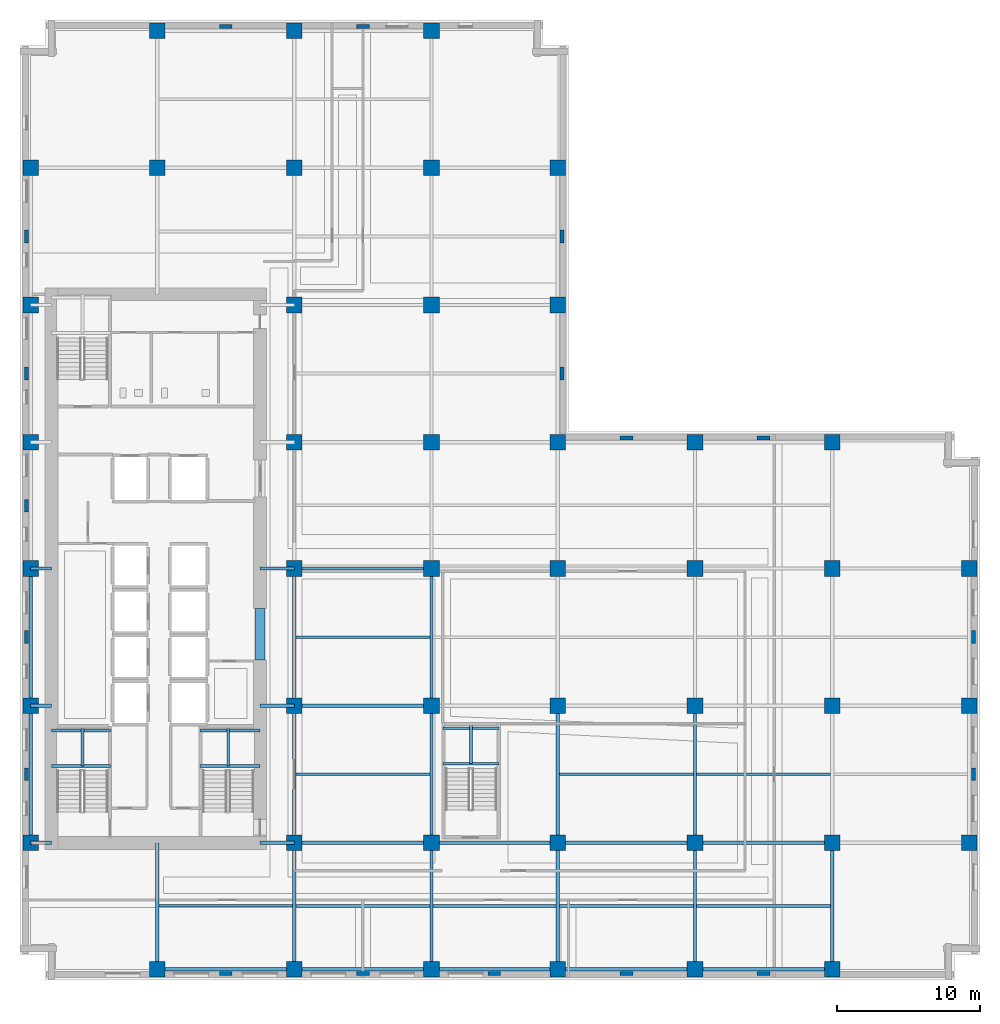
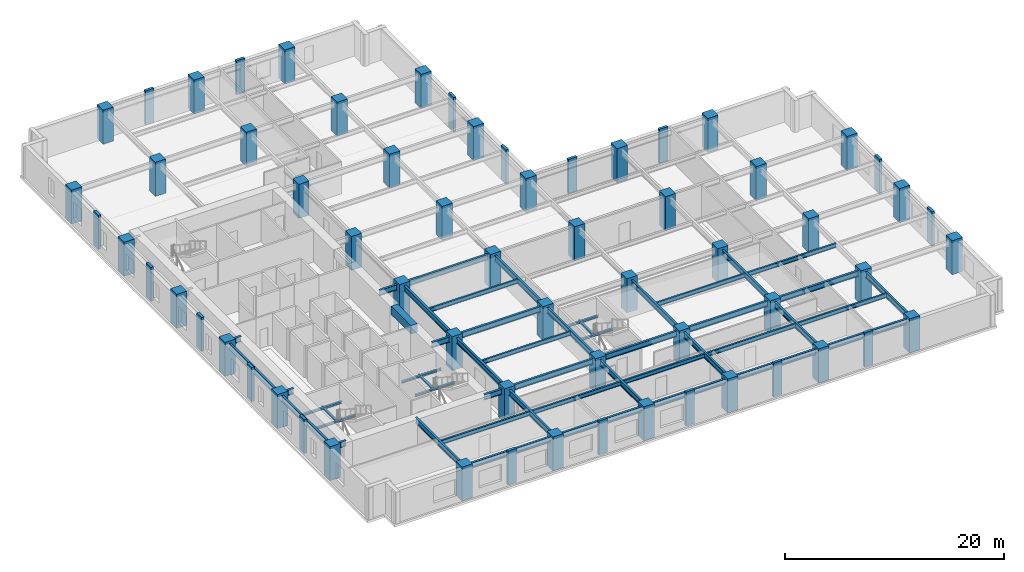
# One storey, part 1 of 13: 63 columns, 50 beams.
"""IFC4 building model written with IfcOpenShell, lengths in metres."""

from ifc_helpers import new_model, si_unit, direction, frame, origin, origin_2d, place, context, subcontext, project, spatial, rectangle, i_section, extrude, material, material_profile, profile_set, type_object, element, save


model = new_model("IFC4")

# Units and contexts
model_context = context("Model", 3, precision=1e-05, world=origin(), true_north=direction((0.0, 1.0)))
body_context = subcontext(model_context, "Body", "Model", "MODEL_VIEW")
ifc_project = project(units=[si_unit("LENGTHUNIT", "METRE"), si_unit("AREAUNIT", "SQUARE_METRE"), si_unit("VOLUMEUNIT", "CUBIC_METRE"), si_unit("PLANEANGLEUNIT", "RADIAN"), si_unit("MASSUNIT", "GRAM", prefix="KILO")], contexts=[model_context])

# Site, building, storey
site_placement = place(None, origin())
site = spatial("IfcSite", under=ifc_project, at=site_placement, CompositionType="ELEMENT")
building_placement = place(site_placement, origin())
building = spatial("IfcBuilding", under=site, at=building_placement, Name="Norrvale University Quadrangle", CompositionType="ELEMENT")
storey_placement = place(building_placement, frame((0.0, 0.0, 66.0)))
storey = spatial("IfcBuildingStorey", under=building, at=storey_placement, Name="L16", CompositionType="ELEMENT", Elevation=66.0)

# Columns
ifc_material_1 = material(Name="Buff Brick Concrete C60/75", Category="concrete")
ifc_material_profile_1 = material_profile(ifc_material_1, rectangle(XDim=0.89990234375, YDim=0.280029296875, at=origin_2d()), Name="Buff Brick Concrete C60/75")
ifc_profile_set_1 = profile_set([ifc_material_profile_1], Name="Buff Brick Concrete C60/75")
column_type_1 = type_object("IfcColumnType", Name="Column Buff Pier 900x280", PredefinedType="PILASTER", material=ifc_profile_set_1)
for number, where, z_axis, x_axis, name in (
    (1, (0.449951171875, 14.39990234375, 0.0), (0.0, 0.0, 1.0), (0.0, 1.0, 0.0), "Exterior Brick Facade Pilaster L16-01"),
    (2, (0.449951171875, 24.0, 0.0), (0.0, 0.0, 1.0), (0.0, 1.0, 0.0), "Exterior Brick Facade Pilaster L16-02"),
    (3, (0.449951171875, 33.199951171875, 0.0), (0.0, 0.0, 1.0), (0.0, 1.0, 0.0), "Exterior Brick Facade Pilaster L16-03"),
    (4, (0.449951171875, 42.449951171875, 0.0), (0.0, 0.0, 1.0), (0.0, 1.0, 0.0), "Exterior Brick Facade Pilaster L16-04"),
    (5, (0.449951171875, 52.050048828125, 0.0), (0.0, 0.0, 1.0), (0.0, 1.0, 0.0), "Exterior Brick Facade Pilaster L16-05"),
    (6, (14.39990234375, 0.449951171875, 0.0), (0.0, 0.0, 1.0), (1.0, 0.0, 0.0), "Exterior Brick Facade Pilaster L16-06"),
    (7, (24.0, 0.449951171875, 0.0), (0.0, 0.0, 1.0), (1.0, 0.0, 0.0), "Exterior Brick Facade Pilaster L16-07"),
    (8, (33.199951171875, 0.449951171875, 0.0), (0.0, 0.0, 1.0), (1.0, 0.0, 0.0), "Exterior Brick Facade Pilaster L16-08"),
    (9, (42.449951171875, 0.449951171875, 0.0), (0.0, 0.0, 1.0), (1.0, 0.0, 0.0), "Exterior Brick Facade Pilaster L16-09"),
    (10, (52.050048828125, 0.449951171875, 0.0), (0.0, 0.0, 1.0), (1.0, 0.0, 0.0), "Exterior Brick Facade Pilaster L16-10"),
    (11, (66.75, 14.39990234375, 0.0), (0.0, 0.0, 1.0), (0.0, 1.0, 0.0), "Exterior Brick Facade Pilaster L16-11"),
    (12, (66.75, 24.0, 0.0), (0.0, 0.0, 1.0), (0.0, 1.0, 0.0), "Exterior Brick Facade Pilaster L16-12"),
    (13, (14.39990234375, 66.75, 0.0), (0.0, 0.0, 1.0), (1.0, 0.0, 0.0), "Exterior Brick Facade Pilaster L16-13"),
    (14, (24.0, 66.75, 0.0), (0.0, 0.0, 1.0), (1.0, 0.0, 0.0), "Exterior Brick Facade Pilaster L16-14"),
    (15, (37.949951171875, 42.449951171875, 0.0), (0.0, 0.0, 1.0), (0.0, 1.0, 0.0), "Exterior Brick Facade Pilaster L16-15"),
    (16, (37.949951171875, 52.050048828125, 0.0), (0.0, 0.0, 1.0), (0.0, 1.0, 0.0), "Exterior Brick Facade Pilaster L16-16"),
    (17, (42.449951171875, 37.949951171875, 0.0), (0.0, 0.0, 1.0), (1.0, 0.0, 0.0), "Exterior Brick Facade Pilaster L16-17"),
    (18, (52.050048828125, 37.949951171875, 0.0), (0.0, 0.0, 1.0), (1.0, 0.0, 0.0), "Exterior Brick Facade Pilaster L16-18"),
):
    element("IfcColumn", number, at=place(storey_placement, frame(where, z_axis=z_axis, x_axis=x_axis)), inside=storey, type_object=column_type_1, Name=name, PredefinedType="PILASTER", context=body_context, shape_type="SweptSolid", body=[
        extrude(rectangle(XDim=0.89990234375, YDim=0.280029296875, at=origin_2d()), origin(), (0.0, 0.0, 1.0), 3.800048828125),
    ])
ifc_material_2 = material(Name="Concrete C80/95", Category="concrete")
ifc_material_profile_2 = material_profile(ifc_material_2, rectangle(XDim=1.10009765625, YDim=1.10009765625, at=origin_2d()), Name="Concrete C80/95")
ifc_profile_set_2 = profile_set([ifc_material_profile_2], Name="Concrete C80/95")
column_type_2 = type_object("IfcColumnType", Name="Column Tower Z1 1100x1100", PredefinedType="COLUMN", material=ifc_profile_set_2)
for number, where, z_axis, x_axis, name in (
    (19, (0.75, 9.60009765625, 0.0), (0.0, 0.0, 1.0), (1.0, 0.0, 0.0), "Tower Column L16-T01"),
    (20, (0.75, 19.199951171875, 0.0), (0.0, 0.0, 1.0), (1.0, 0.0, 0.0), "Tower Column L16-T02"),
    (21, (0.75, 28.800048828125, 0.0), (0.0, 0.0, 1.0), (1.0, 0.0, 0.0), "Tower Column L16-T03"),
    (22, (0.75, 37.64990234375, 0.0), (0.0, 0.0, 1.0), (1.0, 0.0, 0.0), "Tower Column L16-T04"),
    (23, (0.75, 47.25, 0.0), (0.0, 0.0, 1.0), (1.0, 0.0, 0.0), "Tower Column L16-T05"),
    (24, (0.75, 56.85009765625, 0.0), (0.0, 0.0, 1.0), (1.0, 0.0, 0.0), "Tower Column L16-T06"),
    (25, (9.60009765625, 0.75, 0.0), (0.0, 0.0, 1.0), (1.0, 0.0, 0.0), "Tower Column L16-T07"),
    (26, (9.60009765625, 56.85009765625, 0.0), (0.0, 0.0, 1.0), (1.0, 0.0, 0.0), "Tower Column L16-T08"),
    (27, (9.60009765625, 66.449951171875, 0.0), (0.0, 0.0, 1.0), (1.0, 0.0, 0.0), "Tower Column L16-T09"),
    (28, (19.199951171875, 0.75, 0.0), (0.0, 0.0, 1.0), (1.0, 0.0, 0.0), "Tower Column L16-T10"),
    (29, (19.199951171875, 9.60009765625, 0.0), (0.0, 0.0, 1.0), (1.0, 0.0, 0.0), "Tower Column L16-T11"),
    (30, (19.199951171875, 19.199951171875, 0.0), (0.0, 0.0, 1.0), (1.0, 0.0, 0.0), "Tower Column L16-T12"),
    (31, (19.199951171875, 28.800048828125, 0.0), (0.0, 0.0, 1.0), (1.0, 0.0, 0.0), "Tower Column L16-T13"),
    (32, (19.199951171875, 37.64990234375, 0.0), (0.0, 0.0, 1.0), (1.0, 0.0, 0.0), "Tower Column L16-T14"),
    (33, (19.199951171875, 47.25, 0.0), (0.0, 0.0, 1.0), (1.0, 0.0, 0.0), "Tower Column L16-T15"),
    (34, (19.199951171875, 56.85009765625, 0.0), (0.0, 0.0, 1.0), (1.0, 0.0, 0.0), "Tower Column L16-T16"),
    (35, (19.199951171875, 66.449951171875, 0.0), (0.0, 0.0, 1.0), (1.0, 0.0, 0.0), "Tower Column L16-T17"),
    (36, (28.800048828125, 0.75, 0.0), (0.0, 0.0, 1.0), (1.0, 0.0, 0.0), "Tower Column L16-T18"),
    (37, (28.800048828125, 9.60009765625, 0.0), (0.0, 0.0, 1.0), (1.0, 0.0, 0.0), "Tower Column L16-T19"),
    (38, (28.800048828125, 19.199951171875, 0.0), (0.0, 0.0, 1.0), (1.0, 0.0, 0.0), "Tower Column L16-T20"),
    (39, (28.800048828125, 28.800048828125, 0.0), (0.0, 0.0, 1.0), (1.0, 0.0, 0.0), "Tower Column L16-T21"),
    (40, (28.800048828125, 37.64990234375, 0.0), (0.0, 0.0, 1.0), (1.0, 0.0, 0.0), "Tower Column L16-T22"),
    (41, (28.800048828125, 47.25, 0.0), (0.0, 0.0, 1.0), (1.0, 0.0, 0.0), "Tower Column L16-T23"),
    (42, (28.800048828125, 56.85009765625, 0.0), (0.0, 0.0, 1.0), (1.0, 0.0, 0.0), "Tower Column L16-T24"),
    (43, (28.800048828125, 66.449951171875, 0.0), (0.0, 0.0, 1.0), (1.0, 0.0, 0.0), "Tower Column L16-T25"),
    (44, (37.64990234375, 0.75, 0.0), (0.0, 0.0, 1.0), (1.0, 0.0, 0.0), "Tower Column L16-T26"),
    (45, (37.64990234375, 9.60009765625, 0.0), (0.0, 0.0, 1.0), (1.0, 0.0, 0.0), "Tower Column L16-T27"),
    (46, (37.64990234375, 19.199951171875, 0.0), (0.0, 0.0, 1.0), (1.0, 0.0, 0.0), "Tower Column L16-T28"),
    (47, (37.64990234375, 28.800048828125, 0.0), (0.0, 0.0, 1.0), (1.0, 0.0, 0.0), "Tower Column L16-T29"),
    (48, (37.64990234375, 37.64990234375, 0.0), (0.0, 0.0, 1.0), (1.0, 0.0, 0.0), "Tower Column L16-T30"),
    (49, (37.64990234375, 47.25, 0.0), (0.0, 0.0, 1.0), (1.0, 0.0, 0.0), "Tower Column L16-T31"),
    (50, (37.64990234375, 56.85009765625, 0.0), (0.0, 0.0, 1.0), (1.0, 0.0, 0.0), "Tower Column L16-T32"),
    (51, (47.25, 0.75, 0.0), (0.0, 0.0, 1.0), (1.0, 0.0, 0.0), "Tower Column L16-T33"),
    (52, (47.25, 9.60009765625, 0.0), (0.0, 0.0, 1.0), (1.0, 0.0, 0.0), "Tower Column L16-T34"),
    (53, (47.25, 19.199951171875, 0.0), (0.0, 0.0, 1.0), (1.0, 0.0, 0.0), "Tower Column L16-T35"),
    (54, (47.25, 28.800048828125, 0.0), (0.0, 0.0, 1.0), (1.0, 0.0, 0.0), "Tower Column L16-T36"),
    (55, (47.25, 37.64990234375, 0.0), (0.0, 0.0, 1.0), (1.0, 0.0, 0.0), "Tower Column L16-T37"),
    (56, (56.85009765625, 0.75, 0.0), (0.0, 0.0, 1.0), (1.0, 0.0, 0.0), "Tower Column L16-T38"),
    (57, (56.85009765625, 9.60009765625, 0.0), (0.0, 0.0, 1.0), (1.0, 0.0, 0.0), "Tower Column L16-T39"),
    (58, (56.85009765625, 19.199951171875, 0.0), (0.0, 0.0, 1.0), (1.0, 0.0, 0.0), "Tower Column L16-T40"),
    (59, (56.85009765625, 28.800048828125, 0.0), (0.0, 0.0, 1.0), (1.0, 0.0, 0.0), "Tower Column L16-T41"),
    (60, (56.85009765625, 37.64990234375, 0.0), (0.0, 0.0, 1.0), (1.0, 0.0, 0.0), "Tower Column L16-T42"),
    (61, (66.449951171875, 9.60009765625, 0.0), (0.0, 0.0, 1.0), (1.0, 0.0, 0.0), "Tower Column L16-T43"),
    (62, (66.449951171875, 19.199951171875, 0.0), (0.0, 0.0, 1.0), (1.0, 0.0, 0.0), "Tower Column L16-T44"),
    (63, (66.449951171875, 28.800048828125, 0.0), (0.0, 0.0, 1.0), (1.0, 0.0, 0.0), "Tower Column L16-T45"),
):
    element("IfcColumn", number, at=place(storey_placement, frame(where, z_axis=z_axis, x_axis=x_axis)), inside=storey, type_object=column_type_2, Name=name, PredefinedType="COLUMN", context=body_context, shape_type="SweptSolid", body=[
        extrude(rectangle(XDim=1.10009765625, YDim=1.10009765625, at=origin_2d()), origin(), (0.0, 0.0, 1.0), 3.800048828125),
    ])

# Beams
ifc_material_profile_3 = material_profile(ifc_material_2, rectangle(XDim=0.699951171875, YDim=0.949951171875, at=origin_2d()), Name="Concrete C80/95")
ifc_profile_set_3 = profile_set([ifc_material_profile_3], Name="Concrete C80/95")
beam_type_1 = type_object("IfcBeamType", Name="Beam Core Link 700x950", PredefinedType="LINTEL", material=ifc_profile_set_3)
beam_1_placement = place(storey_placement, frame((16.800048828125, 22.39990234375, 3.06494140625), z_axis=(0.0, 1.0, 0.0), x_axis=(-1.0, 0.0, 0.0)))
element("IfcBeam", 64, at=beam_1_placement, inside=storey, type_object=beam_type_1, Name="Core Coupling Lintel Beam L16-1", PredefinedType="LINTEL", context=body_context, shape_type="SweptSolid", body=[
    extrude(rectangle(XDim=0.699951171875, YDim=0.949951171875, at=origin_2d()), origin(), (0.0, 0.0, 1.0), 3.60009765625),
])
ifc_material_3 = material(Name="Steel 350W", Category="steel")
ifc_material_profile_4 = material_profile(ifc_material_3, i_section(OverallWidth=0.18994140625, OverallDepth=0.45703125, WebThickness=0.009033203125, FlangeThickness=0.014404296875, FilletRadius=0.012939453125, at=origin_2d()), Name="Steel 350W")
ifc_profile_set_4 = profile_set([ifc_material_profile_4], Name="Steel 350W")
beam_type_2 = type_object("IfcBeamType", Name="Beam Floor W460x74", PredefinedType="JOIST", material=ifc_profile_set_4)
for number, where, z_axis, x_axis, name in (
    (65, (19.31494140625, 5.175048828125, 3.3115234375), (1.0, 0.0, 0.0), (0.0, 1.0, 0.0), "Beam Floor W460x74 BM-L16-J080"),
    (66, (19.31494140625, 14.39990234375, 3.3115234375), (1.0, 0.0, 0.0), (0.0, 1.0, 0.0), "Beam Floor W460x74 BM-L16-J081"),
    (67, (19.31494140625, 24.0, 3.3115234375), (1.0, 0.0, 0.0), (0.0, 1.0, 0.0), "Beam Floor W460x74 BM-L16-J082"),
):
    element("IfcBeam", number, at=place(storey_placement, frame(where, z_axis=z_axis, x_axis=x_axis)), inside=storey, type_object=beam_type_2, Name=name, PredefinedType="JOIST", context=body_context, shape_type="SweptSolid", body=[
        extrude(i_section(OverallWidth=0.18994140625, OverallDepth=0.45703125, WebThickness=0.009033203125, FlangeThickness=0.014404296875, FilletRadius=0.012939453125, at=origin_2d()), origin(), (0.0, 0.0, 1.0), 9.3701171875),
    ])
beam_2_placement = place(storey_placement, frame((28.9150390625, 5.175048828125, 3.3115234375), z_axis=(1.0, 0.0, 0.0), x_axis=(0.0, 1.0, 0.0)))
element("IfcBeam", 68, at=beam_2_placement, inside=storey, type_object=beam_type_2, Name="Beam Floor W460x74 BM-L16-J087", PredefinedType="JOIST", context=body_context, shape_type="SweptSolid", body=[
    extrude(i_section(OverallWidth=0.18994140625, OverallDepth=0.45703125, WebThickness=0.009033203125, FlangeThickness=0.014404296875, FilletRadius=0.012939453125, at=origin_2d()), origin(), (0.0, 0.0, 1.0), 8.619873046875),
])
for number, where, z_axis, x_axis, name in (
    (69, (37.764892578125, 5.175048828125, 3.3115234375), (1.0, 0.0, 0.0), (0.0, 1.0, 0.0), "Beam Floor W460x74 BM-L16-J092"),
    (70, (37.764892578125, 14.39990234375, 3.3115234375), (1.0, 0.0, 0.0), (0.0, 1.0, 0.0), "Beam Floor W460x74 BM-L16-J093"),
    (71, (47.364990234375, 5.175048828125, 3.3115234375), (1.0, 0.0, 0.0), (0.0, 1.0, 0.0), "Beam Floor W460x74 BM-L16-J096"),
    (72, (47.364990234375, 14.39990234375, 3.3115234375), (1.0, 0.0, 0.0), (0.0, 1.0, 0.0), "Beam Floor W460x74 BM-L16-J097"),
):
    element("IfcBeam", number, at=place(storey_placement, frame(where, z_axis=z_axis, x_axis=x_axis)), inside=storey, type_object=beam_type_2, Name=name, PredefinedType="JOIST", context=body_context, shape_type="SweptSolid", body=[
        extrude(i_section(OverallWidth=0.18994140625, OverallDepth=0.45703125, WebThickness=0.009033203125, FlangeThickness=0.014404296875, FilletRadius=0.012939453125, at=origin_2d()), origin(), (0.0, 0.0, 1.0), 9.3701171875),
    ])
beam_3_placement = place(storey_placement, frame((9.715087890625, 5.199951171875, 3.3115234375), z_axis=(1.0, 0.0, 0.0), x_axis=(0.0, 1.0, 0.0)))
element("IfcBeam", 73, at=beam_3_placement, inside=storey, type_object=beam_type_2, Name="Beam Floor W460x74 BM-L16-JCS103", PredefinedType="JOIST", context=body_context, shape_type="SweptSolid", body=[
    extrude(i_section(OverallWidth=0.18994140625, OverallDepth=0.45703125, WebThickness=0.009033203125, FlangeThickness=0.014404296875, FilletRadius=0.012939453125, at=origin_2d()), origin(), (0.0, 0.0, 1.0), 9.369873046875),
])
ifc_material_profile_5 = material_profile(ifc_material_3, i_section(OverallWidth=0.22998046875, OverallDepth=0.616943359375, WebThickness=0.01318359375, FlangeThickness=0.022216796875, FilletRadius=0.01611328125, at=origin_2d()), Name="Steel 350W")
ifc_profile_set_5 = profile_set([ifc_material_profile_5], Name="Steel 350W")
beam_type_3 = type_object("IfcBeamType", Name="Beam Floor W610x140", PredefinedType="BEAM", material=ifc_profile_set_5)
beam_4_placement = place(storey_placement, frame((9.60009765625, 0.75, 3.2314453125), z_axis=(1.0, 0.0, 0.0), x_axis=(0.0, 1.0, 0.0)))
element("IfcBeam", 74, at=beam_4_placement, inside=storey, type_object=beam_type_3, Name="Beam Floor W610x140 BM-L16-GX001", PredefinedType="BEAM", context=body_context, shape_type="SweptSolid", body=[
    extrude(i_section(OverallWidth=0.22998046875, OverallDepth=0.616943359375, WebThickness=0.01318359375, FlangeThickness=0.022216796875, FilletRadius=0.01611328125, at=origin_2d()), origin(), (0.0, 0.0, 1.0), 9.599853515625),
])
beam_5_placement = place(storey_placement, frame((19.199951171875, 0.75, 3.2314453125), z_axis=(1.0, 0.0, 0.0), x_axis=(0.0, 1.0, 0.0)))
element("IfcBeam", 75, at=beam_5_placement, inside=storey, type_object=beam_type_3, Name="Beam Floor W610x140 BM-L16-GX002", PredefinedType="BEAM", context=body_context, shape_type="SweptSolid", body=[
    extrude(i_section(OverallWidth=0.22998046875, OverallDepth=0.616943359375, WebThickness=0.01318359375, FlangeThickness=0.022216796875, FilletRadius=0.01611328125, at=origin_2d()), origin(), (0.0, 0.0, 1.0), 9.60009765625),
])
beam_6_placement = place(storey_placement, frame((28.800048828125, 0.75, 3.2314453125), z_axis=(1.0, 0.0, 0.0), x_axis=(0.0, 1.0, 0.0)))
element("IfcBeam", 76, at=beam_6_placement, inside=storey, type_object=beam_type_3, Name="Beam Floor W610x140 BM-L16-GX003", PredefinedType="BEAM", context=body_context, shape_type="SweptSolid", body=[
    extrude(i_section(OverallWidth=0.22998046875, OverallDepth=0.616943359375, WebThickness=0.01318359375, FlangeThickness=0.022216796875, FilletRadius=0.01611328125, at=origin_2d()), origin(), (0.0, 0.0, 1.0), 8.849853515625),
])
for number, where, z_axis, x_axis, name in (
    (77, (37.64990234375, 0.75, 3.2314453125), (1.0, 0.0, 0.0), (0.0, 1.0, 0.0), "Beam Floor W610x140 BM-L16-GX004"),
    (78, (47.25, 0.75, 3.2314453125), (1.0, 0.0, 0.0), (0.0, 1.0, 0.0), "Beam Floor W610x140 BM-L16-GX005"),
    (79, (19.199951171875, 9.60009765625, 3.2314453125), (1.0, 0.0, 0.0), (0.0, 1.0, 0.0), "Beam Floor W610x140 BM-L16-GX006"),
):
    element("IfcBeam", number, at=place(storey_placement, frame(where, z_axis=z_axis, x_axis=x_axis)), inside=storey, type_object=beam_type_3, Name=name, PredefinedType="BEAM", context=body_context, shape_type="SweptSolid", body=[
        extrude(i_section(OverallWidth=0.22998046875, OverallDepth=0.616943359375, WebThickness=0.01318359375, FlangeThickness=0.022216796875, FilletRadius=0.01611328125, at=origin_2d()), origin(), (0.0, 0.0, 1.0), 9.60009765625),
    ])
beam_7_placement = place(storey_placement, frame((28.800048828125, 9.60009765625, 3.2314453125), z_axis=(1.0, 0.0, 0.0), x_axis=(0.0, 1.0, 0.0)))
element("IfcBeam", 80, at=beam_7_placement, inside=storey, type_object=beam_type_3, Name="Beam Floor W610x140 BM-L16-GX007", PredefinedType="BEAM", context=body_context, shape_type="SweptSolid", body=[
    extrude(i_section(OverallWidth=0.22998046875, OverallDepth=0.616943359375, WebThickness=0.01318359375, FlangeThickness=0.022216796875, FilletRadius=0.01611328125, at=origin_2d()), origin(), (0.0, 0.0, 1.0), 8.849853515625),
])
for number, where, z_axis, x_axis, name in (
    (81, (37.64990234375, 9.60009765625, 3.2314453125), (1.0, 0.0, 0.0), (0.0, 1.0, 0.0), "Beam Floor W610x140 BM-L16-GX008"),
    (82, (47.25, 9.60009765625, 3.2314453125), (1.0, 0.0, 0.0), (0.0, 1.0, 0.0), "Beam Floor W610x140 BM-L16-GX009"),
    (83, (19.199951171875, 19.199951171875, 3.2314453125), (1.0, 0.0, 0.0), (0.0, 1.0, 0.0), "Beam Floor W610x140 BM-L16-GX011"),
    (84, (19.199951171875, 28.800048828125, 3.2314453125), (1.0, 0.0, 0.0), (0.0, 1.0, 0.0), "Beam Floor W610x140 BM-L16-GX016"),
):
    element("IfcBeam", number, at=place(storey_placement, frame(where, z_axis=z_axis, x_axis=x_axis)), inside=storey, type_object=beam_type_3, Name=name, PredefinedType="BEAM", context=body_context, shape_type="SweptSolid", body=[
        extrude(i_section(OverallWidth=0.22998046875, OverallDepth=0.616943359375, WebThickness=0.01318359375, FlangeThickness=0.022216796875, FilletRadius=0.01611328125, at=origin_2d()), origin(), (0.0, 0.0, 1.0), 9.60009765625),
    ])
beam_8_placement = place(storey_placement, frame((0.75, 9.60009765625, 3.2314453125), z_axis=(0.0, 1.0, 0.0), x_axis=(-1.0, 0.0, 0.0)))
element("IfcBeam", 85, at=beam_8_placement, inside=storey, type_object=beam_type_3, Name="Beam Floor W610x140 BM-L16-GY033", PredefinedType="BEAM", context=body_context, shape_type="SweptSolid", body=[
    extrude(i_section(OverallWidth=0.22998046875, OverallDepth=0.616943359375, WebThickness=0.01318359375, FlangeThickness=0.022216796875, FilletRadius=0.01611328125, at=origin_2d()), origin(), (0.0, 0.0, 1.0), 9.599853515625),
])
beam_9_placement = place(storey_placement, frame((0.75, 19.199951171875, 3.2314453125), z_axis=(0.0, 1.0, 0.0), x_axis=(-1.0, 0.0, 0.0)))
element("IfcBeam", 86, at=beam_9_placement, inside=storey, type_object=beam_type_3, Name="Beam Floor W610x140 BM-L16-GY034", PredefinedType="BEAM", context=body_context, shape_type="SweptSolid", body=[
    extrude(i_section(OverallWidth=0.22998046875, OverallDepth=0.616943359375, WebThickness=0.01318359375, FlangeThickness=0.022216796875, FilletRadius=0.01611328125, at=origin_2d()), origin(), (0.0, 0.0, 1.0), 9.60009765625),
])
beam_10_placement = place(storey_placement, frame((19.199951171875, 0.75, 3.2314453125), z_axis=(0.0, 1.0, 0.0), x_axis=(-1.0, 0.0, 0.0)))
element("IfcBeam", 87, at=beam_10_placement, inside=storey, type_object=beam_type_3, Name="Beam Floor W610x140 BM-L16-GY039", PredefinedType="BEAM", context=body_context, shape_type="SweptSolid", body=[
    extrude(i_section(OverallWidth=0.22998046875, OverallDepth=0.616943359375, WebThickness=0.01318359375, FlangeThickness=0.022216796875, FilletRadius=0.01611328125, at=origin_2d()), origin(), (0.0, 0.0, 1.0), 8.85009765625),
])
beam_11_placement = place(storey_placement, frame((19.199951171875, 9.60009765625, 3.2314453125), z_axis=(0.0, 1.0, 0.0), x_axis=(-1.0, 0.0, 0.0)))
element("IfcBeam", 88, at=beam_11_placement, inside=storey, type_object=beam_type_3, Name="Beam Floor W610x140 BM-L16-GY040", PredefinedType="BEAM", context=body_context, shape_type="SweptSolid", body=[
    extrude(i_section(OverallWidth=0.22998046875, OverallDepth=0.616943359375, WebThickness=0.01318359375, FlangeThickness=0.022216796875, FilletRadius=0.01611328125, at=origin_2d()), origin(), (0.0, 0.0, 1.0), 9.599853515625),
])
beam_12_placement = place(storey_placement, frame((19.199951171875, 19.199951171875, 3.2314453125), z_axis=(0.0, 1.0, 0.0), x_axis=(-1.0, 0.0, 0.0)))
element("IfcBeam", 89, at=beam_12_placement, inside=storey, type_object=beam_type_3, Name="Beam Floor W610x140 BM-L16-GY041", PredefinedType="BEAM", context=body_context, shape_type="SweptSolid", body=[
    extrude(i_section(OverallWidth=0.22998046875, OverallDepth=0.616943359375, WebThickness=0.01318359375, FlangeThickness=0.022216796875, FilletRadius=0.01611328125, at=origin_2d()), origin(), (0.0, 0.0, 1.0), 9.60009765625),
])
beam_13_placement = place(storey_placement, frame((28.800048828125, 0.75, 3.2314453125), z_axis=(0.0, 1.0, 0.0), x_axis=(-1.0, 0.0, 0.0)))
element("IfcBeam", 90, at=beam_13_placement, inside=storey, type_object=beam_type_3, Name="Beam Floor W610x140 BM-L16-GY046", PredefinedType="BEAM", context=body_context, shape_type="SweptSolid", body=[
    extrude(i_section(OverallWidth=0.22998046875, OverallDepth=0.616943359375, WebThickness=0.01318359375, FlangeThickness=0.022216796875, FilletRadius=0.01611328125, at=origin_2d()), origin(), (0.0, 0.0, 1.0), 8.85009765625),
])
beam_14_placement = place(storey_placement, frame((28.800048828125, 9.60009765625, 3.2314453125), z_axis=(0.0, 1.0, 0.0), x_axis=(-1.0, 0.0, 0.0)))
element("IfcBeam", 91, at=beam_14_placement, inside=storey, type_object=beam_type_3, Name="Beam Floor W610x140 BM-L16-GY047", PredefinedType="BEAM", context=body_context, shape_type="SweptSolid", body=[
    extrude(i_section(OverallWidth=0.22998046875, OverallDepth=0.616943359375, WebThickness=0.01318359375, FlangeThickness=0.022216796875, FilletRadius=0.01611328125, at=origin_2d()), origin(), (0.0, 0.0, 1.0), 9.599853515625),
])
beam_15_placement = place(storey_placement, frame((28.800048828125, 19.199951171875, 3.2314453125), z_axis=(0.0, 1.0, 0.0), x_axis=(-1.0, 0.0, 0.0)))
element("IfcBeam", 92, at=beam_15_placement, inside=storey, type_object=beam_type_3, Name="Beam Floor W610x140 BM-L16-GY048", PredefinedType="BEAM", context=body_context, shape_type="SweptSolid", body=[
    extrude(i_section(OverallWidth=0.22998046875, OverallDepth=0.616943359375, WebThickness=0.01318359375, FlangeThickness=0.022216796875, FilletRadius=0.01611328125, at=origin_2d()), origin(), (0.0, 0.0, 1.0), 9.60009765625),
])
beam_16_placement = place(storey_placement, frame((37.64990234375, 0.75, 3.2314453125), z_axis=(0.0, 1.0, 0.0), x_axis=(-1.0, 0.0, 0.0)))
element("IfcBeam", 93, at=beam_16_placement, inside=storey, type_object=beam_type_3, Name="Beam Floor W610x140 BM-L16-GY053", PredefinedType="BEAM", context=body_context, shape_type="SweptSolid", body=[
    extrude(i_section(OverallWidth=0.22998046875, OverallDepth=0.616943359375, WebThickness=0.01318359375, FlangeThickness=0.022216796875, FilletRadius=0.01611328125, at=origin_2d()), origin(), (0.0, 0.0, 1.0), 8.85009765625),
])
beam_17_placement = place(storey_placement, frame((37.64990234375, 9.60009765625, 3.2314453125), z_axis=(0.0, 1.0, 0.0), x_axis=(-1.0, 0.0, 0.0)))
element("IfcBeam", 94, at=beam_17_placement, inside=storey, type_object=beam_type_3, Name="Beam Floor W610x140 BM-L16-GY054", PredefinedType="BEAM", context=body_context, shape_type="SweptSolid", body=[
    extrude(i_section(OverallWidth=0.22998046875, OverallDepth=0.616943359375, WebThickness=0.01318359375, FlangeThickness=0.022216796875, FilletRadius=0.01611328125, at=origin_2d()), origin(), (0.0, 0.0, 1.0), 9.599853515625),
])
beam_18_placement = place(storey_placement, frame((47.25, 0.75, 3.2314453125), z_axis=(0.0, 1.0, 0.0), x_axis=(-1.0, 0.0, 0.0)))
element("IfcBeam", 95, at=beam_18_placement, inside=storey, type_object=beam_type_3, Name="Beam Floor W610x140 BM-L16-GY059", PredefinedType="BEAM", context=body_context, shape_type="SweptSolid", body=[
    extrude(i_section(OverallWidth=0.22998046875, OverallDepth=0.616943359375, WebThickness=0.01318359375, FlangeThickness=0.022216796875, FilletRadius=0.01611328125, at=origin_2d()), origin(), (0.0, 0.0, 1.0), 8.85009765625),
])
beam_19_placement = place(storey_placement, frame((47.25, 9.60009765625, 3.2314453125), z_axis=(0.0, 1.0, 0.0), x_axis=(-1.0, 0.0, 0.0)))
element("IfcBeam", 96, at=beam_19_placement, inside=storey, type_object=beam_type_3, Name="Beam Floor W610x140 BM-L16-GY060", PredefinedType="BEAM", context=body_context, shape_type="SweptSolid", body=[
    extrude(i_section(OverallWidth=0.22998046875, OverallDepth=0.616943359375, WebThickness=0.01318359375, FlangeThickness=0.022216796875, FilletRadius=0.01611328125, at=origin_2d()), origin(), (0.0, 0.0, 1.0), 9.599853515625),
])
beam_20_placement = place(storey_placement, frame((56.85009765625, 0.75, 3.2314453125), z_axis=(0.0, 1.0, 0.0), x_axis=(-1.0, 0.0, 0.0)))
element("IfcBeam", 97, at=beam_20_placement, inside=storey, type_object=beam_type_3, Name="Beam Floor W610x140 BM-L16-GY063", PredefinedType="BEAM", context=body_context, shape_type="SweptSolid", body=[
    extrude(i_section(OverallWidth=0.22998046875, OverallDepth=0.616943359375, WebThickness=0.01318359375, FlangeThickness=0.022216796875, FilletRadius=0.01611328125, at=origin_2d()), origin(), (0.0, 0.0, 1.0), 8.85009765625),
])
beam_21_placement = place(storey_placement, frame((0.75, 9.60009765625, 3.2314453125), z_axis=(1.0, 0.0, 0.0), x_axis=(0.0, 1.0, 0.0)))
element("IfcBeam", 98, at=beam_21_placement, inside=storey, type_object=beam_type_3, Name="Beam Floor W610x140 BM-L16-GCW069", PredefinedType="BEAM", context=body_context, shape_type="SweptSolid", body=[
    extrude(i_section(OverallWidth=0.22998046875, OverallDepth=0.616943359375, WebThickness=0.01318359375, FlangeThickness=0.022216796875, FilletRadius=0.01611328125, at=origin_2d()), origin(), (0.0, 0.0, 1.0), 1.449951171875),
])
beam_22_placement = place(storey_placement, frame((16.800048828125, 9.60009765625, 3.2314453125), z_axis=(1.0, 0.0, 0.0), x_axis=(0.0, 1.0, 0.0)))
element("IfcBeam", 99, at=beam_22_placement, inside=storey, type_object=beam_type_3, Name="Beam Floor W610x140 BM-L16-GCE070", PredefinedType="BEAM", context=body_context, shape_type="SweptSolid", body=[
    extrude(i_section(OverallWidth=0.22998046875, OverallDepth=0.616943359375, WebThickness=0.01318359375, FlangeThickness=0.022216796875, FilletRadius=0.01611328125, at=origin_2d()), origin(), (0.0, 0.0, 1.0), 2.39990234375),
])
beam_23_placement = place(storey_placement, frame((0.75, 19.199951171875, 3.2314453125), z_axis=(1.0, 0.0, 0.0), x_axis=(0.0, 1.0, 0.0)))
element("IfcBeam", 100, at=beam_23_placement, inside=storey, type_object=beam_type_3, Name="Beam Floor W610x140 BM-L16-GCW071", PredefinedType="BEAM", context=body_context, shape_type="SweptSolid", body=[
    extrude(i_section(OverallWidth=0.22998046875, OverallDepth=0.616943359375, WebThickness=0.01318359375, FlangeThickness=0.022216796875, FilletRadius=0.01611328125, at=origin_2d()), origin(), (0.0, 0.0, 1.0), 1.449951171875),
])
beam_24_placement = place(storey_placement, frame((16.800048828125, 19.199951171875, 3.2314453125), z_axis=(1.0, 0.0, 0.0), x_axis=(0.0, 1.0, 0.0)))
element("IfcBeam", 101, at=beam_24_placement, inside=storey, type_object=beam_type_3, Name="Beam Floor W610x140 BM-L16-GCE072", PredefinedType="BEAM", context=body_context, shape_type="SweptSolid", body=[
    extrude(i_section(OverallWidth=0.22998046875, OverallDepth=0.616943359375, WebThickness=0.01318359375, FlangeThickness=0.022216796875, FilletRadius=0.01611328125, at=origin_2d()), origin(), (0.0, 0.0, 1.0), 2.39990234375),
])
beam_25_placement = place(storey_placement, frame((0.75, 28.800048828125, 3.2314453125), z_axis=(1.0, 0.0, 0.0), x_axis=(0.0, 1.0, 0.0)))
element("IfcBeam", 102, at=beam_25_placement, inside=storey, type_object=beam_type_3, Name="Beam Floor W610x140 BM-L16-GCW073", PredefinedType="BEAM", context=body_context, shape_type="SweptSolid", body=[
    extrude(i_section(OverallWidth=0.22998046875, OverallDepth=0.616943359375, WebThickness=0.01318359375, FlangeThickness=0.022216796875, FilletRadius=0.01611328125, at=origin_2d()), origin(), (0.0, 0.0, 1.0), 1.449951171875),
])
beam_26_placement = place(storey_placement, frame((16.800048828125, 28.800048828125, 3.2314453125), z_axis=(1.0, 0.0, 0.0), x_axis=(0.0, 1.0, 0.0)))
element("IfcBeam", 103, at=beam_26_placement, inside=storey, type_object=beam_type_3, Name="Beam Floor W610x140 BM-L16-GCE074", PredefinedType="BEAM", context=body_context, shape_type="SweptSolid", body=[
    extrude(i_section(OverallWidth=0.22998046875, OverallDepth=0.616943359375, WebThickness=0.01318359375, FlangeThickness=0.022216796875, FilletRadius=0.01611328125, at=origin_2d()), origin(), (0.0, 0.0, 1.0), 2.39990234375),
])
beam_27_placement = place(storey_placement, frame((9.60009765625, 0.75, 3.2314453125), z_axis=(0.0, 1.0, 0.0), x_axis=(-1.0, 0.0, 0.0)))
element("IfcBeam", 104, at=beam_27_placement, inside=storey, type_object=beam_type_3, Name="Beam Floor W610x140 BM-L16-GCS102", PredefinedType="BEAM", context=body_context, shape_type="SweptSolid", body=[
    extrude(i_section(OverallWidth=0.22998046875, OverallDepth=0.616943359375, WebThickness=0.01318359375, FlangeThickness=0.022216796875, FilletRadius=0.01611328125, at=origin_2d()), origin(), (0.0, 0.0, 1.0), 8.85009765625),
])
ifc_material_profile_6 = material_profile(ifc_material_3, i_section(OverallWidth=0.201904296875, OverallDepth=0.2470703125, WebThickness=0.00732421875, FlangeThickness=0.010986328125, FilletRadius=0.011962890625, at=origin_2d()), Name="Steel 350W")
ifc_profile_set_6 = profile_set([ifc_material_profile_6], Name="Steel 350W")
beam_type_4 = type_object("IfcBeamType", Name="Beam Stair W250x49", PredefinedType="BEAM", material=ifc_profile_set_6)
for number, where, z_axis, x_axis, name in (
    (105, (2.199951171875, 14.989990234375, 1.576416015625), (1.0, 0.0, 0.0), (0.0, 1.0, 0.0), "Stair Mid-Landing Front Beam ST-01 L16"),
    (106, (2.199951171875, 17.469970703125, 1.576416015625), (1.0, 0.0, 0.0), (0.0, 1.0, 0.0), "Stair Mid-Landing Rear Beam ST-01 L16"),
):
    element("IfcBeam", number, at=place(storey_placement, frame(where, z_axis=z_axis, x_axis=x_axis)), inside=storey, type_object=beam_type_4, Name=name, PredefinedType="BEAM", context=body_context, shape_type="SweptSolid", body=[
        extrude(i_section(OverallWidth=0.201904296875, OverallDepth=0.2470703125, WebThickness=0.00732421875, FlangeThickness=0.010986328125, FilletRadius=0.011962890625, at=origin_2d()), origin(), (0.0, 0.0, 1.0), 4.14013671875),
    ])
for number, where, z_axis, x_axis, name in (
    (107, (12.610107421875, 14.989990234375, 1.576416015625), (1.0, 0.0, 0.0), (0.0, 1.0, 0.0), "Stair Mid-Landing Front Beam ST-03 L16"),
    (108, (12.610107421875, 17.469970703125, 1.576416015625), (1.0, 0.0, 0.0), (0.0, 1.0, 0.0), "Stair Mid-Landing Rear Beam ST-03 L16"),
):
    element("IfcBeam", number, at=place(storey_placement, frame(where, z_axis=z_axis, x_axis=x_axis)), inside=storey, type_object=beam_type_4, Name=name, PredefinedType="BEAM", context=body_context, shape_type="SweptSolid", body=[
        extrude(i_section(OverallWidth=0.201904296875, OverallDepth=0.2470703125, WebThickness=0.00732421875, FlangeThickness=0.010986328125, FilletRadius=0.011962890625, at=origin_2d()), origin(), (0.0, 0.0, 1.0), 4.18994140625),
    ])
for number, where, z_axis, x_axis, name in (
    (109, (29.610107421875, 15.139892578125, 1.576416015625), (1.0, 0.0, 0.0), (0.0, 1.0, 0.0), "Stair Mid-Landing Front Beam ST-04 L16"),
    (110, (29.610107421875, 17.6201171875, 1.576416015625), (1.0, 0.0, 0.0), (0.0, 1.0, 0.0), "Stair Mid-Landing Rear Beam ST-04 L16"),
):
    element("IfcBeam", number, at=place(storey_placement, frame(where, z_axis=z_axis, x_axis=x_axis)), inside=storey, type_object=beam_type_4, Name=name, PredefinedType="BEAM", context=body_context, shape_type="SweptSolid", body=[
        extrude(i_section(OverallWidth=0.201904296875, OverallDepth=0.2470703125, WebThickness=0.00732421875, FlangeThickness=0.010986328125, FilletRadius=0.011962890625, at=origin_2d()), origin(), (0.0, 0.0, 1.0), 3.929931640625),
    ])
ifc_material_profile_7 = material_profile(ifc_material_3, i_section(OverallWidth=0.202880859375, OverallDepth=0.202880859375, WebThickness=0.007080078125, FlangeThickness=0.010986328125, FilletRadius=0.010009765625, at=origin_2d()), Name="Steel 350W")
ifc_profile_set_7 = profile_set([ifc_material_profile_7], Name="Steel 350W")
beam_type_5 = type_object("IfcBeamType", Name="Beam Trim W200x46", PredefinedType="BEAM", material=ifc_profile_set_7)
for number, where, z_axis, x_axis, name in (
    (111, (4.375, 14.989990234375, 1.598388671875), (0.0, 1.0, 0.0), (-1.0, 0.0, 0.0), "Stair Mid-Landing Cross Beam ST-01 L16"),
    (112, (14.574951171875, 14.989990234375, 1.598388671875), (0.0, 1.0, 0.0), (-1.0, 0.0, 0.0), "Stair Mid-Landing Cross Beam ST-03 L16"),
    (113, (31.574951171875, 15.139892578125, 1.598388671875), (0.0, 1.0, 0.0), (-1.0, 0.0, 0.0), "Stair Mid-Landing Cross Beam ST-04 L16"),
):
    element("IfcBeam", number, at=place(storey_placement, frame(where, z_axis=z_axis, x_axis=x_axis)), inside=storey, type_object=beam_type_5, Name=name, PredefinedType="BEAM", context=body_context, shape_type="SweptSolid", body=[
        extrude(i_section(OverallWidth=0.202880859375, OverallDepth=0.202880859375, WebThickness=0.007080078125, FlangeThickness=0.010986328125, FilletRadius=0.010009765625, at=origin_2d()), origin(), (0.0, 0.0, 1.0), 2.800048828125),
    ])

save(model, "model.ifc")
